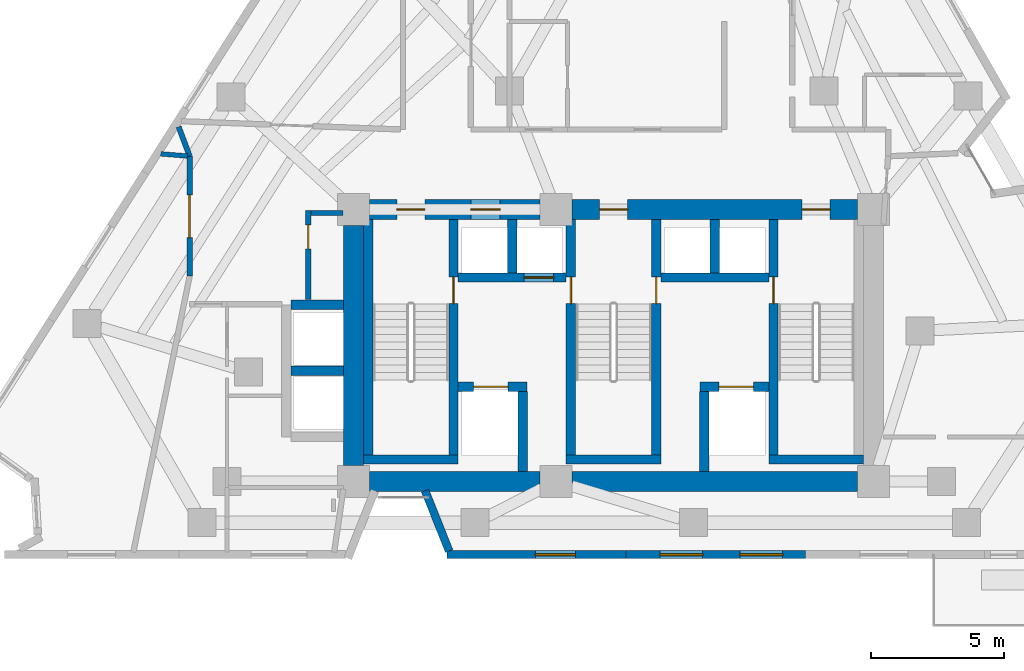
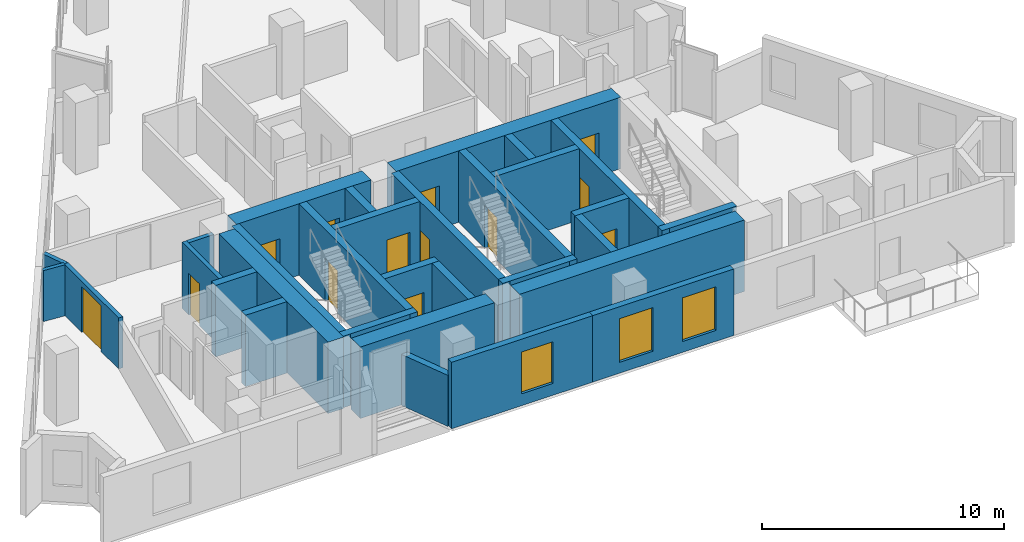
# One storey, part 7 of 12: 31 walls, 13 doors, 3 windows, 16 openings.
"""IFC4 building model written with IfcOpenShell, lengths in metres."""

from ifc_helpers import new_model, si_unit, direction, frame, frame_2d, origin, place, context, subcontext, project, spatial, rectangle, extrude, material, layer, layer_set, type_object, element, fill, save


model = new_model("IFC4")

# Units and contexts
model_context = context("Model", 3, precision=1e-05, world=origin(), true_north=direction((0.0, 1.0)))
body_context = subcontext(model_context, "Body", "Model", "MODEL_VIEW")
ifc_project = project(units=[si_unit("LENGTHUNIT", "METRE"), si_unit("AREAUNIT", "SQUARE_METRE"), si_unit("VOLUMEUNIT", "CUBIC_METRE"), si_unit("PLANEANGLEUNIT", "RADIAN"), si_unit("MASSUNIT", "GRAM", prefix="KILO")], contexts=[model_context])

# Site, building, storey
site_placement = place(None, origin())
site = spatial("IfcSite", under=ifc_project, at=site_placement, CompositionType="ELEMENT")
building_placement = place(site_placement, origin())
building = spatial("IfcBuilding", under=site, at=building_placement, Name="Almagre Mirador Tower", CompositionType="ELEMENT")
storey_placement = place(building_placement, frame((0.0, 0.0, 139.199951171875)))
storey = spatial("IfcBuildingStorey", under=building, at=storey_placement, Name="L35", CompositionType="ELEMENT", Elevation=139.199951171875)

# Wall, openings, windows
ifc_material_1 = material(Name="Precast concrete C50/60", Category="concrete")
ifc_layer_1 = layer(ifc_material_1, 0.300048828125)
ifc_layer_set_1 = layer_set([ifc_layer_1], Name="Precast concrete C50/60")
wall_type_1 = type_object("IfcWallType", Name="WAL-EXT-300", PredefinedType="SOLIDWALL", material=ifc_layer_set_1)
wall_1_placement = place(storey_placement, frame((44.493896484375, 1.800048828125, 0.0), z_axis=(0.0, 0.0, 1.0), x_axis=(-1.0, 0.0, 0.0)))
wall_1 = element("IfcWall", 1, at=wall_1_placement, inside=storey, type_object=wall_type_1, Name="L35 expressed almagre precast frame wall 22", PredefinedType="SOLIDWALL", context=body_context, shape_type="SweptSolid", body=[
    extrude(rectangle(XDim=6.722900390625, YDim=0.300048828125, at=frame_2d((3.361328125, 0.0))), origin(), (0.0, 0.0, 1.0), 3.35009765625),
])
opening_1_placement = place(wall_1_placement, frame((0.85009765625, 0.0, 0.550048828125)))
opening_1 = element("IfcOpeningElement", 2, at=opening_1_placement, cuts=wall_1, Name="Opening WN-06", PredefinedType="OPENING", context=body_context, shape_type="SweptSolid", body=[
    extrude(rectangle(XDim=1.60009765625, YDim=2.199951171875, at=frame_2d((0.800048828125, 1.10009765625))), frame((0.0, 0.159902, 0.0), z_axis=(0.0, -1.0, 0.0), x_axis=(1.0, 0.0, 0.0)), (0.0, 0.0, 1.0), 0.320049),
])
opening_2_placement = place(wall_1_placement, frame((3.85009765625, 0.0, 0.550048828125)))
opening_2 = element("IfcOpeningElement", 3, at=opening_2_placement, cuts=wall_1, Name="Opening WN-06", PredefinedType="OPENING", context=body_context, shape_type="SweptSolid", body=[
    extrude(rectangle(XDim=1.60009765625, YDim=2.199951171875, at=frame_2d((0.800048828125, 1.10009765625))), frame((0.0, 0.159902, 0.0), z_axis=(0.0, -1.0, 0.0), x_axis=(1.0, 0.0, 0.0)), (0.0, 0.0, 1.0), 0.320049),
])
ifc_material_2 = material(Name="Dark solar-control laminated hurricane glass", Category="glass")
window_type_1 = type_object("IfcWindowType", Name="WIN-1600X2200", PartitioningType="DOUBLE_PANEL_VERTICAL", PredefinedType="WINDOW", material=ifc_material_2)
window_1_placement = place(opening_1_placement, origin())
window_1 = element("IfcWindow", 4, at=window_1_placement, inside=storey, type_object=window_type_1, Name="L35 recessed hurricane window L35-UC-ST", OverallHeight=2.199951171875, OverallWidth=1.60009765625, PartitioningType="SINGLE_PANEL", PredefinedType="WINDOW", context=body_context, shape_type="SweptSolid", body=[
    extrude(rectangle(XDim=1.60009765625, YDim=2.199951171875, at=frame_2d((0.800048828125, 1.10009765625))), frame((0.0, 0.030029296875, 0.0), z_axis=(0.0, -1.0, 0.0), x_axis=(1.0, 0.0, 0.0)), (0.0, 0.0, 1.0), 0.06005859375),
])
fill(opening_1, window_1)
window_2_placement = place(opening_2_placement, origin())
window_2 = element("IfcWindow", 5, at=window_2_placement, inside=storey, type_object=window_type_1, Name="L35 recessed hurricane window L35-UC-KT", OverallHeight=2.199951171875, OverallWidth=1.60009765625, PartitioningType="SINGLE_PANEL", PredefinedType="WINDOW", context=body_context, shape_type="SweptSolid", body=[
    extrude(rectangle(XDim=1.60009765625, YDim=2.199951171875, at=frame_2d((0.800048828125, 1.10009765625))), frame((0.0, 0.030029296875, 0.0), z_axis=(0.0, -1.0, 0.0), x_axis=(1.0, 0.0, 0.0)), (0.0, 0.0, 1.0), 0.06005859375),
])
fill(opening_2, window_2)

# Wall, opening, window
wall_2_placement = place(storey_placement, frame((37.77099609375, 1.800048828125, 0.0), z_axis=(0.0, 0.0, 1.0), x_axis=(-1.0, 0.0, 0.0)))
wall_2 = element("IfcWall", 6, at=wall_2_placement, inside=storey, type_object=wall_type_1, Name="L35 expressed almagre precast frame wall 23", PredefinedType="SOLIDWALL", context=body_context, shape_type="SweptSolid", body=[
    extrude(rectangle(XDim=6.722900390625, YDim=0.300048828125, at=frame_2d((3.361328125, 0.0))), origin(), (0.0, 0.0, 1.0), 3.35009765625),
])
opening_3_placement = place(wall_2_placement, frame((1.89990234375, 0.0, 0.60009765625)))
opening_3 = element("IfcOpeningElement", 7, at=opening_3_placement, cuts=wall_2, Name="Opening WN-03", PredefinedType="OPENING", context=body_context, shape_type="SweptSolid", body=[
    extrude(rectangle(XDim=1.5, YDim=2.10009765625, at=frame_2d((0.75, 1.050048828125))), frame((0.0, 0.159902, 0.0), z_axis=(0.0, -1.0, 0.0), x_axis=(1.0, 0.0, 0.0)), (0.0, 0.0, 1.0), 0.320049),
])
ifc_material_3 = material(Name="Dark solar-control laminated hurricane glass", Category="glass")
window_type_2 = type_object("IfcWindowType", Name="WIN-1500X2100", PartitioningType="DOUBLE_PANEL_VERTICAL", PredefinedType="WINDOW", material=ifc_material_3)
window_3_placement = place(opening_3_placement, origin())
window_3 = element("IfcWindow", 8, at=window_3_placement, inside=storey, type_object=window_type_2, Name="L35 recessed hurricane window L35-UC-KT", OverallHeight=2.10009765625, OverallWidth=1.5, PartitioningType="SINGLE_PANEL", PredefinedType="WINDOW", context=body_context, shape_type="SweptSolid", body=[
    extrude(rectangle(XDim=1.5, YDim=2.10009765625, at=frame_2d((0.75, 1.050048828125))), frame((0.0, 0.030029296875, 0.0), z_axis=(0.0, -1.0, 0.0), x_axis=(1.0, 0.0, 0.0)), (0.0, 0.0, 1.0), 0.06005859375),
])
fill(opening_3, window_3)

# Walls
wall_3_placement = place(storey_placement, frame((31.13623046875, 1.93017578125, 0.0), z_axis=(0.0, 0.0, 1.0), x_axis=(-0.369562555971, 0.929205852986, 0.0)))
element("IfcWall", 9, at=wall_3_placement, inside=storey, type_object=wall_type_1, Name="L35 expressed almagre precast frame wall 24", PredefinedType="SOLIDWALL", context=body_context, shape_type="SweptSolid", body=[
    extrude(rectangle(XDim=2.441650390625, YDim=0.300048828125, at=frame_2d((1.220703125, 0.0))), origin(), (0.0, 0.0, 1.0), 2.574951171875),
])
ifc_material_4 = material(Name="Gypsum acoustic stud partition", Category="other")
ifc_layer_2 = layer(ifc_material_4, 0.175048828125)
ifc_layer_set_2 = layer_set([ifc_layer_2], Name="Gypsum acoustic stud partition")
wall_type_2 = type_object("IfcWallType", Name="WAL-PRT-175-AC", PredefinedType="PARTITIONING", material=ifc_layer_set_2)
wall_4_placement = place(storey_placement, frame((21.315185546875, 16.75537109375, 0.0), z_axis=(0.0, 0.0, 1.0), x_axis=(-0.996607611453, 0.082299871163, 0.0)))
element("IfcWall", 10, at=wall_4_placement, inside=storey, type_object=wall_type_2, Name="L35 interior partition 024", PredefinedType="PARTITIONING", context=body_context, shape_type="SweptSolid", body=[
    extrude(rectangle(XDim=1.002685546875, YDim=0.175048828125, at=frame_2d((0.50146484375, 0.0))), origin(), (0.0, 0.0, 1.0), 2.570068359375),
])

# Wall, opening, door
ifc_material_5 = material(Name="Gypsum acoustic stud partition", Category="other")
ifc_layer_3 = layer(ifc_material_5, 0.199951171875)
ifc_layer_set_3 = layer_set([ifc_layer_3], Name="Gypsum acoustic stud partition")
wall_type_3 = type_object("IfcWallType", Name="WAL-PRT-200-EI60", PredefinedType="PARTITIONING", material=ifc_layer_set_3)
wall_5_placement = place(storey_placement, frame((25.85009765625, 11.3701171875, 0.0), z_axis=(0.0, 0.0, 1.0), x_axis=(0.0, 1.0, 0.0)))
wall_5 = element("IfcWall", 11, at=wall_5_placement, inside=storey, type_object=wall_type_3, Name="L35 core ancillary west wall", PredefinedType="PARTITIONING", context=body_context, shape_type="SweptSolid", body=[
    extrude(rectangle(XDim=3.33984375, YDim=0.199951171875, at=frame_2d((1.669921875, 0.0))), origin(), (0.0, 0.0, 1.0), 3.35009765625),
])
opening_4_placement = place(wall_5_placement, frame((1.89990234375, 0.0, 0.0)))
opening_4 = element("IfcOpeningElement", 12, at=opening_4_placement, cuts=wall_5, Name="Opening ID-03", PredefinedType="OPENING", context=body_context, shape_type="SweptSolid", body=[
    extrude(rectangle(XDim=0.89990234375, YDim=2.10009765625, at=frame_2d((0.449951171875, 1.050048828125))), frame((0.0, 0.110098, 0.0), z_axis=(0.0, -1.0, 0.0), x_axis=(1.0, 0.0, 0.0)), (0.0, 0.0, 1.0), 0.219951),
])
ifc_material_6 = material(Name="Fire-rated hollow steel", Category="steel")
door_type_1 = type_object("IfcDoorType", Name="DOR-FD60-900X2100", OperationType="NOTDEFINED", PredefinedType="DOOR", material=ifc_material_6)
door_1_placement = place(opening_4_placement, origin())
door_1 = element("IfcDoor", 13, at=door_1_placement, inside=storey, type_object=door_type_1, Name="DR-1142 L35 core ancillary corridor door", OperationType="SINGLE_SWING_LEFT", OverallHeight=2.10009765625, OverallWidth=0.89990234375, PredefinedType="DOOR", context=body_context, shape_type="SweptSolid", body=[
    extrude(rectangle(XDim=0.89990234375, YDim=2.10009765625, at=frame_2d((0.449951171875, 1.050048828125))), frame((0.0, 0.02490234375, 0.0), z_axis=(0.0, -1.0, 0.0), x_axis=(1.0, 0.0, 0.0)), (0.0, 0.0, 1.0), 0.050048828125),
])
fill(opening_4, door_1)

# Wall
wall_6_placement = place(storey_placement, frame((25.955078125, 14.6201171875, 0.0), z_axis=(0.0, 0.0, 1.0), x_axis=(1.0, 0.0, 0.0)))
element("IfcWall", 14, at=wall_6_placement, inside=storey, type_object=wall_type_3, Name="L35 core ancillary north wall", PredefinedType="PARTITIONING", context=body_context, shape_type="SweptSolid", body=[
    extrude(rectangle(XDim=1.204833984375, YDim=0.199951171875, at=frame_2d((0.6025390625, 0.0))), origin(), (0.0, 0.0, 1.0), 3.35009765625),
])

# Wall, opening, door
wall_7_placement = place(storey_placement, frame((21.39990234375, 16.75, 0.0), z_axis=(0.0, 0.0, 1.0), x_axis=(0.0, -1.0, 0.0)))
wall_7 = element("IfcWall", 15, at=wall_7_placement, inside=storey, type_object=wall_type_3, Name="L35 interior partition 001", PredefinedType="PARTITIONING", context=body_context, shape_type="SweptSolid", body=[
    extrude(rectangle(XDim=4.5, YDim=0.199951171875, at=frame_2d((2.25, 0.0))), origin(), (0.0, 0.0, 1.0), 2.570068359375),
])
opening_5_placement = place(wall_7_placement, frame((1.449951171875, 0.0, 0.0)))
opening_5 = element("IfcOpeningElement", 16, at=opening_5_placement, cuts=wall_7, Name="Opening ID-05", PredefinedType="OPENING", context=body_context, shape_type="SweptSolid", body=[
    extrude(rectangle(XDim=1.60009765625, YDim=2.300048828125, at=frame_2d((0.800048828125, 1.14990234375))), frame((0.0, 0.110098, 0.0), z_axis=(0.0, -1.0, 0.0), x_axis=(1.0, 0.0, 0.0)), (0.0, 0.0, 1.0), 0.219951),
])
ifc_material_7 = material(Name="Fire-rated acoustic timber", Category="wood")
door_type_2 = type_object("IfcDoorType", Name="DOR-FD60-1600X2300", OperationType="DOUBLE_DOOR_SINGLE_SWING", PredefinedType="DOOR", material=ifc_material_7)
door_2_placement = place(opening_5_placement, origin())
door_2 = element("IfcDoor", 17, at=door_2_placement, inside=storey, type_object=door_type_2, Name="DR-1147 L35 interior door L35-RCOR to L35-RST-A", OperationType="DOUBLE_DOOR_SINGLE_SWING", OverallHeight=2.300048828125, OverallWidth=1.60009765625, PredefinedType="DOOR", context=body_context, shape_type="SweptSolid", body=[
    extrude(rectangle(XDim=1.60009765625, YDim=2.300048828125, at=frame_2d((0.800048828125, 1.14990234375))), frame((0.0, 0.02490234375, 0.0), z_axis=(0.0, -1.0, 0.0), x_axis=(1.0, 0.0, 0.0)), (0.0, 0.0, 1.0), 0.050048828125),
])
fill(opening_5, door_2)

# Walls
wall_8_placement = place(storey_placement, frame((20.987060546875, 17.85302734375, 0.0), z_axis=(0.0, 0.0, 1.0), x_axis=(0.350532728214, -0.936550482596, 0.0)))
element("IfcWall", 18, at=wall_8_placement, inside=storey, type_object=wall_type_3, Name="L35 interior partition 019", PredefinedType="PARTITIONING", context=body_context, shape_type="SweptSolid", body=[
    extrude(rectangle(XDim=1.177734375, YDim=0.199951171875, at=frame_2d((0.5888671875, 0.0))), origin(), (0.0, 0.0, 1.0), 2.570068359375),
])
ifc_material_8 = material(Name="Concrete C60/75", Category="concrete")
ifc_layer_4 = layer(ifc_material_8, 0.35009765625)
ifc_layer_set_4 = layer_set([ifc_layer_4], Name="Concrete C60/75")
wall_type_4 = type_object("IfcWallType", Name="WAL-SHF-350", PredefinedType="SOLIDWALL", material=ifc_layer_set_4)
wall_9_placement = place(storey_placement, frame((28.10009765625, 5.199951171875, 0.0), z_axis=(0.0, 0.0, 1.0), x_axis=(0.0, 1.0, 0.0)))
element("IfcWall", 19, at=wall_9_placement, inside=storey, type_object=wall_type_4, Name="L35 shaft wall ST1-W", PredefinedType="SOLIDWALL", context=body_context, shape_type="SweptSolid", body=[
    extrude(rectangle(XDim=9.175048828125, YDim=0.35009765625, at=frame_2d((4.58740234375, 0.0))), origin(), (0.0, 0.0, 1.0), 3.60009765625),
])

# Wall, opening, door
wall_10_placement = place(storey_placement, frame((31.300048828125, 5.199951171875, 0.0), z_axis=(0.0, 0.0, 1.0), x_axis=(0.0, 1.0, 0.0)))
wall_10 = element("IfcWall", 20, at=wall_10_placement, inside=storey, type_object=wall_type_4, Name="L35 shaft wall ST1-E", PredefinedType="SOLIDWALL", context=body_context, shape_type="SweptSolid", body=[
    extrude(rectangle(XDim=9.175048828125, YDim=0.35009765625, at=frame_2d((4.58740234375, 0.0))), origin(), (0.0, 0.0, 1.0), 3.60009765625),
])
opening_6_placement = place(wall_10_placement, frame((6.02001953125, 0.0, 0.0)))
opening_6 = element("IfcOpeningElement", 21, at=opening_6_placement, cuts=wall_10, Name="Opening FD-01", PredefinedType="OPENING", context=body_context, shape_type="SweptSolid", body=[
    extrude(rectangle(XDim=1.0, YDim=2.14990234375, at=frame_2d((0.5, 1.074951171875))), frame((0.0, 0.185049, 0.0), z_axis=(0.0, -1.0, 0.0), x_axis=(1.0, 0.0, 0.0)), (0.0, 0.0, 1.0), 0.370098),
])
ifc_material_9 = material(Name="Fire-rated hollow steel", Category="steel")
door_type_3 = type_object("IfcDoorType", Name="DOR-FFL-1000X2150", OperationType="NOTDEFINED", PredefinedType="DOOR", material=ifc_material_9)
door_3_placement = place(opening_6_placement, origin())
door_3 = element("IfcDoor", 22, at=door_3_placement, inside=storey, type_object=door_type_3, Name="DR-1143 L35 FFL1-ST1 smokeproof door", OperationType="SINGLE_SWING_LEFT", OverallHeight=2.14990234375, OverallWidth=1.0, PredefinedType="DOOR", context=body_context, shape_type="SweptSolid", body=[
    extrude(rectangle(XDim=1.0, YDim=2.14990234375, at=frame_2d((0.5, 1.074951171875))), frame((0.0, 0.02490234375, 0.0), z_axis=(0.0, -1.0, 0.0), x_axis=(1.0, 0.0, 0.0)), (0.0, 0.0, 1.0), 0.050048828125),
])
fill(opening_6, door_3)

# Wall
wall_11_placement = place(storey_placement, frame((27.925048828125, 5.375, 0.0), z_axis=(0.0, 0.0, 1.0), x_axis=(1.0, 0.0, 0.0)))
element("IfcWall", 23, at=wall_11_placement, inside=storey, type_object=wall_type_4, Name="L35 shaft wall ST1-S", PredefinedType="SOLIDWALL", context=body_context, shape_type="SweptSolid", body=[
    extrude(rectangle(XDim=3.550048828125, YDim=0.35009765625, at=frame_2d((1.77490234375, 0.0))), origin(), (0.0, 0.0, 1.0), 3.60009765625),
])

# Wall, opening, door
wall_12_placement = place(storey_placement, frame((35.699951171875, 5.199951171875, 0.0), z_axis=(0.0, 0.0, 1.0), x_axis=(0.0, 1.0, 0.0)))
wall_12 = element("IfcWall", 24, at=wall_12_placement, inside=storey, type_object=wall_type_4, Name="L35 shaft wall ST2-W", PredefinedType="SOLIDWALL", context=body_context, shape_type="SweptSolid", body=[
    extrude(rectangle(XDim=9.175048828125, YDim=0.35009765625, at=frame_2d((4.58740234375, 0.0))), origin(), (0.0, 0.0, 1.0), 3.60009765625),
])
opening_7_placement = place(wall_12_placement, frame((6.02001953125, 0.0, 0.0)))
opening_7 = element("IfcOpeningElement", 25, at=opening_7_placement, cuts=wall_12, Name="Opening FD-01", PredefinedType="OPENING", context=body_context, shape_type="SweptSolid", body=[
    extrude(rectangle(XDim=1.0, YDim=2.14990234375, at=frame_2d((0.5, 1.074951171875))), frame((0.0, 0.185049, 0.0), z_axis=(0.0, -1.0, 0.0), x_axis=(1.0, 0.0, 0.0)), (0.0, 0.0, 1.0), 0.370098),
])
door_4_placement = place(opening_7_placement, origin())
door_4 = element("IfcDoor", 26, at=door_4_placement, inside=storey, type_object=door_type_3, Name="DR-1144 L35 FFL1-ST2 smokeproof door", OperationType="SINGLE_SWING_RIGHT", OverallHeight=2.14990234375, OverallWidth=1.0, PredefinedType="DOOR", context=body_context, shape_type="SweptSolid", body=[
    extrude(rectangle(XDim=1.0, YDim=2.14990234375, at=frame_2d((0.5, 1.074951171875))), frame((0.0, 0.02490234375, 0.0), z_axis=(0.0, -1.0, 0.0), x_axis=(1.0, 0.0, 0.0)), (0.0, 0.0, 1.0), 0.050048828125),
])
fill(opening_7, door_4)

wall_13_placement = place(storey_placement, frame((38.89990234375, 5.199951171875, 0.0), z_axis=(0.0, 0.0, 1.0), x_axis=(0.0, 1.0, 0.0)))
wall_13 = element("IfcWall", 27, at=wall_13_placement, inside=storey, type_object=wall_type_4, Name="L35 shaft wall ST2-E", PredefinedType="SOLIDWALL", context=body_context, shape_type="SweptSolid", body=[
    extrude(rectangle(XDim=9.175048828125, YDim=0.35009765625, at=frame_2d((4.58740234375, 0.0))), origin(), (0.0, 0.0, 1.0), 3.60009765625),
])
opening_8_placement = place(wall_13_placement, frame((6.02001953125, 0.0, 0.0)))
opening_8 = element("IfcOpeningElement", 28, at=opening_8_placement, cuts=wall_13, Name="Opening FD-01", PredefinedType="OPENING", context=body_context, shape_type="SweptSolid", body=[
    extrude(rectangle(XDim=1.0, YDim=2.14990234375, at=frame_2d((0.5, 1.074951171875))), frame((0.0, 0.185049, 0.0), z_axis=(0.0, -1.0, 0.0), x_axis=(1.0, 0.0, 0.0)), (0.0, 0.0, 1.0), 0.370098),
])
door_5_placement = place(opening_8_placement, origin())
door_5 = element("IfcDoor", 29, at=door_5_placement, inside=storey, type_object=door_type_3, Name="DR-1145 L35 FFL2-ST2 smokeproof door", OperationType="SINGLE_SWING_LEFT", OverallHeight=2.14990234375, OverallWidth=1.0, PredefinedType="DOOR", context=body_context, shape_type="SweptSolid", body=[
    extrude(rectangle(XDim=1.0, YDim=2.14990234375, at=frame_2d((0.5, 1.074951171875))), frame((0.0, 0.02490234375, 0.0), z_axis=(0.0, -1.0, 0.0), x_axis=(1.0, 0.0, 0.0)), (0.0, 0.0, 1.0), 0.050048828125),
])
fill(opening_8, door_5)

# Wall
wall_14_placement = place(storey_placement, frame((35.52490234375, 5.375, 0.0), z_axis=(0.0, 0.0, 1.0), x_axis=(1.0, 0.0, 0.0)))
element("IfcWall", 30, at=wall_14_placement, inside=storey, type_object=wall_type_4, Name="L35 shaft wall ST2-S", PredefinedType="SOLIDWALL", context=body_context, shape_type="SweptSolid", body=[
    extrude(rectangle(XDim=3.550048828125, YDim=0.35009765625, at=frame_2d((1.77490234375, 0.0))), origin(), (0.0, 0.0, 1.0), 3.60009765625),
])

# Wall, opening, door
wall_15_placement = place(storey_placement, frame((43.300048828125, 5.199951171875, 0.0), z_axis=(0.0, 0.0, 1.0), x_axis=(0.0, 1.0, 0.0)))
wall_15 = element("IfcWall", 31, at=wall_15_placement, inside=storey, type_object=wall_type_4, Name="L35 shaft wall ST3-W", PredefinedType="SOLIDWALL", context=body_context, shape_type="SweptSolid", body=[
    extrude(rectangle(XDim=9.175048828125, YDim=0.35009765625, at=frame_2d((4.58740234375, 0.0))), origin(), (0.0, 0.0, 1.0), 3.60009765625),
])
opening_9_placement = place(wall_15_placement, frame((6.02001953125, 0.0, 0.0)))
opening_9 = element("IfcOpeningElement", 32, at=opening_9_placement, cuts=wall_15, Name="Opening FD-01", PredefinedType="OPENING", context=body_context, shape_type="SweptSolid", body=[
    extrude(rectangle(XDim=1.0, YDim=2.14990234375, at=frame_2d((0.5, 1.074951171875))), frame((0.0, 0.185049, 0.0), z_axis=(0.0, -1.0, 0.0), x_axis=(1.0, 0.0, 0.0)), (0.0, 0.0, 1.0), 0.370098),
])
door_6_placement = place(opening_9_placement, origin())
door_6 = element("IfcDoor", 33, at=door_6_placement, inside=storey, type_object=door_type_3, Name="DR-1146 L35 FFL2-ST3 smokeproof door", OperationType="SINGLE_SWING_RIGHT", OverallHeight=2.14990234375, OverallWidth=1.0, PredefinedType="DOOR", context=body_context, shape_type="SweptSolid", body=[
    extrude(rectangle(XDim=1.0, YDim=2.14990234375, at=frame_2d((0.5, 1.074951171875))), frame((0.0, 0.02490234375, 0.0), z_axis=(0.0, -1.0, 0.0), x_axis=(1.0, 0.0, 0.0)), (0.0, 0.0, 1.0), 0.050048828125),
])
fill(opening_9, door_6)

# Wall
wall_16_placement = place(storey_placement, frame((43.125, 5.375, 0.0), z_axis=(0.0, 0.0, 1.0), x_axis=(1.0, 0.0, 0.0)))
element("IfcWall", 34, at=wall_16_placement, inside=storey, type_object=wall_type_4, Name="L35 shaft wall ST3-S", PredefinedType="SOLIDWALL", context=body_context, shape_type="SweptSolid", body=[
    extrude(rectangle(XDim=3.550048828125, YDim=0.35009765625, at=frame_2d((1.77490234375, 0.0))), origin(), (0.0, 0.0, 1.0), 3.60009765625),
])

# Wall, opening, door
wall_17_placement = place(storey_placement, frame((31.47509765625, 8.10009765625, 0.0), z_axis=(0.0, 0.0, 1.0), x_axis=(1.0, 0.0, 0.0)))
wall_17 = element("IfcWall", 35, at=wall_17_placement, inside=storey, type_object=wall_type_4, Name="L35 shaft wall FSAE1-N", PredefinedType="SOLIDWALL", context=body_context, shape_type="SweptSolid", body=[
    extrude(rectangle(XDim=2.574951171875, YDim=0.35009765625, at=frame_2d((1.28759765625, 0.0))), origin(), (0.0, 0.0, 1.0), 3.60009765625),
])
opening_10_placement = place(wall_17_placement, frame((0.574951171875, 0.0, 0.0)))
opening_10 = element("IfcOpeningElement", 36, at=opening_10_placement, cuts=wall_17, Name="Opening LD-03", PredefinedType="OPENING", context=body_context, shape_type="SweptSolid", body=[
    extrude(rectangle(XDim=1.300048828125, YDim=2.25, at=frame_2d((0.64990234375, 1.125))), frame((0.0, 0.185049, 0.0), z_axis=(0.0, -1.0, 0.0), x_axis=(1.0, 0.0, 0.0)), (0.0, 0.0, 1.0), 0.370098),
])
ifc_material_10 = material(Name="Hollow stainless steel", Category="steel")
door_type_4 = type_object("IfcDoorType", Name="DOR-LD-1300X2250", OperationType="DOUBLE_DOOR_SLIDING", PredefinedType="DOOR", material=ifc_material_10)
door_7_placement = place(opening_10_placement, origin())
door_7 = element("IfcDoor", 37, at=door_7_placement, inside=storey, type_object=door_type_4, Name="DR-1160 L35 FSAE-1 lift landing door", OperationType="DOUBLE_DOOR_SLIDING", OverallHeight=2.25, OverallWidth=1.300048828125, PredefinedType="DOOR", context=body_context, shape_type="SweptSolid", body=[
    extrude(rectangle(XDim=1.300048828125, YDim=2.25, at=frame_2d((0.64990234375, 1.125))), frame((0.0, 0.02490234375, 0.0), z_axis=(0.0, -1.0, 0.0), x_axis=(1.0, 0.0, 0.0)), (0.0, 0.0, 1.0), 0.050048828125),
])
fill(opening_10, door_7)

wall_18_placement = place(storey_placement, frame((40.550048828125, 8.10009765625, 0.0), z_axis=(0.0, 0.0, 1.0), x_axis=(1.0, 0.0, 0.0)))
wall_18 = element("IfcWall", 38, at=wall_18_placement, inside=storey, type_object=wall_type_4, Name="L35 shaft wall FSAE2-N", PredefinedType="SOLIDWALL", context=body_context, shape_type="SweptSolid", body=[
    extrude(rectangle(XDim=2.574951171875, YDim=0.35009765625, at=frame_2d((1.28759765625, 0.0))), origin(), (0.0, 0.0, 1.0), 3.60009765625),
])
opening_11_placement = place(wall_18_placement, frame((0.699951171875, 0.0, 0.0)))
opening_11 = element("IfcOpeningElement", 39, at=opening_11_placement, cuts=wall_18, Name="Opening LD-03", PredefinedType="OPENING", context=body_context, shape_type="SweptSolid", body=[
    extrude(rectangle(XDim=1.300048828125, YDim=2.25, at=frame_2d((0.64990234375, 1.125))), frame((0.0, 0.185049, 0.0), z_axis=(0.0, -1.0, 0.0), x_axis=(1.0, 0.0, 0.0)), (0.0, 0.0, 1.0), 0.370098),
])
door_8_placement = place(opening_11_placement, origin())
door_8 = element("IfcDoor", 40, at=door_8_placement, inside=storey, type_object=door_type_4, Name="DR-1161 L35 FSAE-2 lift landing door", OperationType="DOUBLE_DOOR_SLIDING", OverallHeight=2.25, OverallWidth=1.300048828125, PredefinedType="DOOR", context=body_context, shape_type="SweptSolid", body=[
    extrude(rectangle(XDim=1.300048828125, YDim=2.25, at=frame_2d((0.64990234375, 1.125))), frame((0.0, 0.02490234375, 0.0), z_axis=(0.0, -1.0, 0.0), x_axis=(1.0, 0.0, 0.0)), (0.0, 0.0, 1.0), 0.050048828125),
])
fill(opening_11, door_8)

# Walls
for number, where, z_axis, x_axis, name in (
    (41, (33.89990234375, 4.925048828125, 0.0), (0.0, 0.0, 1.0), (0.0, 1.0, 0.0), "L35 shaft wall FSAE1-E"),
    (42, (40.699951171875, 4.925048828125, 0.0), (0.0, 0.0, 1.0), (0.0, 1.0, 0.0), "L35 shaft wall FSAE2-W"),
):
    element("IfcWall", number, at=place(storey_placement, frame(where, z_axis=z_axis, x_axis=x_axis)), inside=storey, type_object=wall_type_4, Name=name, PredefinedType="SOLIDWALL", context=body_context, shape_type="SweptSolid", body=[
        extrude(rectangle(XDim=3.0, YDim=0.35009765625, at=frame_2d((1.5, 0.0))), origin(), (0.0, 0.0, 1.0), 3.60009765625),
    ])

# Wall, opening, door
wall_19_placement = place(storey_placement, frame((31.47509765625, 12.199951171875, 0.0), z_axis=(0.0, 0.0, 1.0), x_axis=(1.0, 0.0, 0.0)))
wall_19 = element("IfcWall", 43, at=wall_19_placement, inside=storey, type_object=wall_type_4, Name="L35 shaft wall PLM-S", PredefinedType="SOLIDWALL", context=body_context, shape_type="SweptSolid", body=[
    extrude(rectangle(XDim=4.0498046875, YDim=0.35009765625, at=frame_2d((2.02490234375, 0.0))), origin(), (0.0, 0.0, 1.0), 3.60009765625),
])
opening_12_placement = place(wall_19_placement, frame((2.47509765625, 0.0, 0.0)))
opening_12 = element("IfcOpeningElement", 44, at=opening_12_placement, cuts=wall_19, Name="Opening LD-01", PredefinedType="OPENING", context=body_context, shape_type="SweptSolid", body=[
    extrude(rectangle(XDim=1.10009765625, YDim=2.199951171875, at=frame_2d((0.550048828125, 1.10009765625))), frame((0.0, 0.185049, 0.0), z_axis=(0.0, -1.0, 0.0), x_axis=(1.0, 0.0, 0.0)), (0.0, 0.0, 1.0), 0.370098),
])
ifc_material_11 = material(Name="Hollow stainless steel", Category="steel")
door_type_5 = type_object("IfcDoorType", Name="DOR-LD-1100X2200", OperationType="DOUBLE_DOOR_SLIDING", PredefinedType="DOOR", material=ifc_material_11)
door_9_placement = place(opening_12_placement, origin())
door_9 = element("IfcDoor", 45, at=door_9_placement, inside=storey, type_object=door_type_5, Name="DR-1163 L35 PL-M2 lift landing door", OperationType="DOUBLE_DOOR_SLIDING", OverallHeight=2.199951171875, OverallWidth=1.10009765625, PredefinedType="DOOR", context=body_context, shape_type="SweptSolid", body=[
    extrude(rectangle(XDim=1.10009765625, YDim=2.199951171875, at=frame_2d((0.550048828125, 1.10009765625))), frame((0.0, 0.02490234375, 0.0), z_axis=(0.0, -1.0, 0.0), x_axis=(1.0, 0.0, 0.0)), (0.0, 0.0, 1.0), 0.050048828125),
])
fill(opening_12, door_9)

# Walls
wall_20_placement = place(storey_placement, frame((33.5, 12.375, 0.0), z_axis=(0.0, 0.0, 1.0), x_axis=(0.0, 1.0, 0.0)))
element("IfcWall", 46, at=wall_20_placement, inside=storey, type_object=wall_type_4, Name="L35 shaft wall PLM-M", PredefinedType="SOLIDWALL", context=body_context, shape_type="SweptSolid", body=[
    extrude(rectangle(XDim=2.0, YDim=0.35009765625, at=frame_2d((1.0, 0.0))), origin(), (0.0, 0.0, 1.0), 3.60009765625),
])
wall_21_placement = place(storey_placement, frame((39.074951171875, 12.199951171875, 0.0), z_axis=(0.0, 0.0, 1.0), x_axis=(1.0, 0.0, 0.0)))
element("IfcWall", 47, at=wall_21_placement, inside=storey, type_object=wall_type_4, Name="L35 shaft wall PLH-S", PredefinedType="SOLIDWALL", context=body_context, shape_type="SweptSolid", body=[
    extrude(rectangle(XDim=4.050048828125, YDim=0.35009765625, at=frame_2d((2.02490234375, 0.0))), origin(), (0.0, 0.0, 1.0), 3.60009765625),
])
wall_22_placement = place(storey_placement, frame((41.10009765625, 12.375, 0.0), z_axis=(0.0, 0.0, 1.0), x_axis=(0.0, 1.0, 0.0)))
element("IfcWall", 48, at=wall_22_placement, inside=storey, type_object=wall_type_4, Name="L35 shaft wall PLH-M", PredefinedType="SOLIDWALL", context=body_context, shape_type="SweptSolid", body=[
    extrude(rectangle(XDim=2.0, YDim=0.35009765625, at=frame_2d((1.0, 0.0))), origin(), (0.0, 0.0, 1.0), 3.60009765625),
])
for number, where, z_axis, x_axis, name in (
    (49, (25.199951171875, 8.699951171875, 0.0), (0.0, 0.0, 1.0), (1.0, 0.0, 0.0), "L35 shaft wall OL-M"),
    (50, (25.199951171875, 11.175048828125, 0.0), (0.0, 0.0, 1.0), (1.0, 0.0, 0.0), "L35 shaft wall OL-N"),
):
    element("IfcWall", number, at=place(storey_placement, frame(where, z_axis=z_axis, x_axis=x_axis)), inside=storey, type_object=wall_type_4, Name=name, PredefinedType="SOLIDWALL", context=body_context, shape_type="SweptSolid", body=[
        extrude(rectangle(XDim=1.97509765625, YDim=0.35009765625, at=frame_2d((0.987548828125, 0.0))), origin(), (0.0, 0.0, 1.0), 3.60009765625),
    ])
ifc_material_12 = material(Name="Concrete C60/75", Category="concrete")
ifc_layer_5 = layer(ifc_material_12, 0.75)
ifc_layer_set_5 = layer_set([ifc_layer_5], Name="Concrete C60/75")
wall_type_5 = type_object("IfcWallType", Name="WAL-SHR-750", PredefinedType="SHEAR", material=ifc_layer_set_5)
wall_23_placement = place(storey_placement, frame((28.14990234375, 4.550048828125, 0.0), z_axis=(0.0, 0.0, 1.0), x_axis=(1.0, 0.0, 0.0)))
element("IfcWall", 51, at=wall_23_placement, inside=storey, type_object=wall_type_5, Name="L35 core shear wall S1", PredefinedType="SHEAR", context=body_context, shape_type="SweptSolid", body=[
    extrude(rectangle(XDim=6.400146484375, YDim=0.75, at=frame_2d((3.2001953125, 0.0))), origin(), (0.0, 0.0, 1.0), 3.60009765625),
])
wall_24_placement = place(storey_placement, frame((35.75, 4.550048828125, 0.0), z_axis=(0.0, 0.0, 1.0), x_axis=(1.0, 0.0, 0.0)))
element("IfcWall", 52, at=wall_24_placement, inside=storey, type_object=wall_type_5, Name="L35 core shear wall S2", PredefinedType="SHEAR", context=body_context, shape_type="SweptSolid", body=[
    extrude(rectangle(XDim=10.699951171875, YDim=0.75, at=frame_2d((5.35009765625, 0.0))), origin(), (0.0, 0.0, 1.0), 3.60009765625),
])

# Wall, openings, doors
wall_25_placement = place(storey_placement, frame((28.14990234375, 14.75, 0.0), z_axis=(0.0, 0.0, 1.0), x_axis=(1.0, 0.0, 0.0)))
wall_25 = element("IfcWall", 53, at=wall_25_placement, inside=storey, type_object=wall_type_5, Name="L35 core shear wall N1", PredefinedType="SHEAR", context=body_context, shape_type="SweptSolid", body=[
    extrude(rectangle(XDim=6.400146484375, YDim=0.75, at=frame_2d((3.2001953125, 0.0))), origin(), (0.0, 0.0, 1.0), 3.60009765625),
])
opening_13_placement = place(wall_25_placement, frame((1.02490234375, 0.0, 0.0)))
opening_13 = element("IfcOpeningElement", 54, at=opening_13_placement, cuts=wall_25, Name="Opening SD-01", PredefinedType="OPENING", context=body_context, shape_type="SweptSolid", body=[
    extrude(rectangle(XDim=1.050048828125, YDim=2.14990234375, at=frame_2d((0.52490234375, 1.074951171875))), frame((0.0, 0.385, 0.0), z_axis=(0.0, -1.0, 0.0), x_axis=(1.0, 0.0, 0.0)), (0.0, 0.0, 1.0), 0.77),
])
opening_14_placement = place(wall_25_placement, frame((3.800048828125, 0.0, 0.0)))
opening_14 = element("IfcOpeningElement", 55, at=opening_14_placement, cuts=wall_25, Name="Opening LD-01", PredefinedType="OPENING", context=body_context, shape_type="SweptSolid", body=[
    extrude(rectangle(XDim=1.10009765625, YDim=2.199951171875, at=frame_2d((0.550048828125, 1.10009765625))), frame((0.0, 0.385, 0.0), z_axis=(0.0, -1.0, 0.0), x_axis=(1.0, 0.0, 0.0)), (0.0, 0.0, 1.0), 0.77),
])
door_10_placement = place(opening_14_placement, origin())
door_10 = element("IfcDoor", 56, at=door_10_placement, inside=storey, type_object=door_type_5, Name="DR-1162 L35 PL-M1 lift landing door", OperationType="DOUBLE_DOOR_SLIDING", OverallHeight=2.199951171875, OverallWidth=1.10009765625, PredefinedType="DOOR", context=body_context, shape_type="SweptSolid", body=[
    extrude(rectangle(XDim=1.10009765625, YDim=2.199951171875, at=frame_2d((0.550048828125, 1.10009765625))), frame((0.0, 0.02490234375, 0.0), z_axis=(0.0, -1.0, 0.0), x_axis=(1.0, 0.0, 0.0)), (0.0, 0.0, 1.0), 0.050048828125),
])
fill(opening_14, door_10)
ifc_material_13 = material(Name="Fire-rated hollow steel", Category="steel")
door_type_6 = type_object("IfcDoorType", Name="DOR-ST-1050X2150", OperationType="NOTDEFINED", PredefinedType="DOOR", material=ifc_material_13)
door_11_placement = place(opening_13_placement, origin())
door_11 = element("IfcDoor", 57, at=door_11_placement, inside=storey, type_object=door_type_6, Name="DR-1164 L35 protected exit stair ST-1 door", OperationType="SINGLE_SWING_RIGHT", OverallHeight=2.14990234375, OverallWidth=1.050048828125, PredefinedType="DOOR", context=body_context, shape_type="SweptSolid", body=[
    extrude(rectangle(XDim=1.050048828125, YDim=2.14990234375, at=frame_2d((0.52490234375, 1.074951171875))), frame((0.0, 0.02490234375, 0.0), z_axis=(0.0, -1.0, 0.0), x_axis=(1.0, 0.0, 0.0)), (0.0, 0.0, 1.0), 0.050048828125),
])
fill(opening_13, door_11)

wall_26_placement = place(storey_placement, frame((35.75, 14.75, 0.0), z_axis=(0.0, 0.0, 1.0), x_axis=(1.0, 0.0, 0.0)))
wall_26 = element("IfcWall", 58, at=wall_26_placement, inside=storey, type_object=wall_type_5, Name="L35 core shear wall N2", PredefinedType="SHEAR", context=body_context, shape_type="SweptSolid", body=[
    extrude(rectangle(XDim=10.699951171875, YDim=0.75, at=frame_2d((5.35009765625, 0.0))), origin(), (0.0, 0.0, 1.0), 3.60009765625),
])
opening_15_placement = place(wall_26_placement, frame((1.02490234375, 0.0, 0.0)))
opening_15 = element("IfcOpeningElement", 59, at=opening_15_placement, cuts=wall_26, Name="Opening SD-01", PredefinedType="OPENING", context=body_context, shape_type="SweptSolid", body=[
    extrude(rectangle(XDim=1.050048828125, YDim=2.14990234375, at=frame_2d((0.52490234375, 1.074951171875))), frame((0.0, 0.385, 0.0), z_axis=(0.0, -1.0, 0.0), x_axis=(1.0, 0.0, 0.0)), (0.0, 0.0, 1.0), 0.77),
])
opening_16_placement = place(wall_26_placement, frame((8.625, 0.0, 0.0)))
opening_16 = element("IfcOpeningElement", 60, at=opening_16_placement, cuts=wall_26, Name="Opening SD-01", PredefinedType="OPENING", context=body_context, shape_type="SweptSolid", body=[
    extrude(rectangle(XDim=1.050048828125, YDim=2.14990234375, at=frame_2d((0.52490234375, 1.074951171875))), frame((0.0, 0.385, 0.0), z_axis=(0.0, -1.0, 0.0), x_axis=(1.0, 0.0, 0.0)), (0.0, 0.0, 1.0), 0.77),
])
door_12_placement = place(opening_15_placement, origin())
door_12 = element("IfcDoor", 61, at=door_12_placement, inside=storey, type_object=door_type_6, Name="DR-1165 L35 protected exit stair ST-2 door", OperationType="SINGLE_SWING_RIGHT", OverallHeight=2.14990234375, OverallWidth=1.050048828125, PredefinedType="DOOR", context=body_context, shape_type="SweptSolid", body=[
    extrude(rectangle(XDim=1.050048828125, YDim=2.14990234375, at=frame_2d((0.52490234375, 1.074951171875))), frame((0.0, 0.02490234375, 0.0), z_axis=(0.0, -1.0, 0.0), x_axis=(1.0, 0.0, 0.0)), (0.0, 0.0, 1.0), 0.050048828125),
])
fill(opening_15, door_12)
door_13_placement = place(opening_16_placement, origin())
door_13 = element("IfcDoor", 62, at=door_13_placement, inside=storey, type_object=door_type_6, Name="DR-1166 L35 protected exit stair ST-3 door", OperationType="SINGLE_SWING_LEFT", OverallHeight=2.14990234375, OverallWidth=1.050048828125, PredefinedType="DOOR", context=body_context, shape_type="SweptSolid", body=[
    extrude(rectangle(XDim=1.050048828125, YDim=2.14990234375, at=frame_2d((0.52490234375, 1.074951171875))), frame((0.0, 0.02490234375, 0.0), z_axis=(0.0, -1.0, 0.0), x_axis=(1.0, 0.0, 0.0)), (0.0, 0.0, 1.0), 0.050048828125),
])
fill(opening_16, door_13)

# Wall
wall_27_placement = place(storey_placement, frame((27.550048828125, 5.14990234375, 0.0), z_axis=(0.0, 0.0, 1.0), x_axis=(0.0, 1.0, 0.0)))
element("IfcWall", 63, at=wall_27_placement, inside=storey, type_object=wall_type_5, Name="L35 core shear wall W1", PredefinedType="SHEAR", context=body_context, shape_type="SweptSolid", body=[
    extrude(rectangle(XDim=9.0, YDim=0.75, at=frame_2d((4.5, 0.0))), origin(), (0.0, 0.0, 1.0), 3.60009765625),
])

save(model, "model.ifc")
